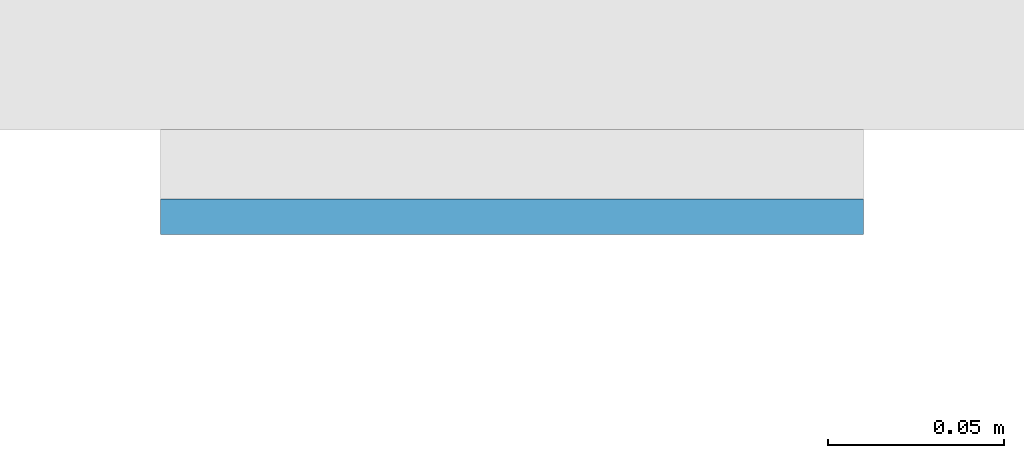
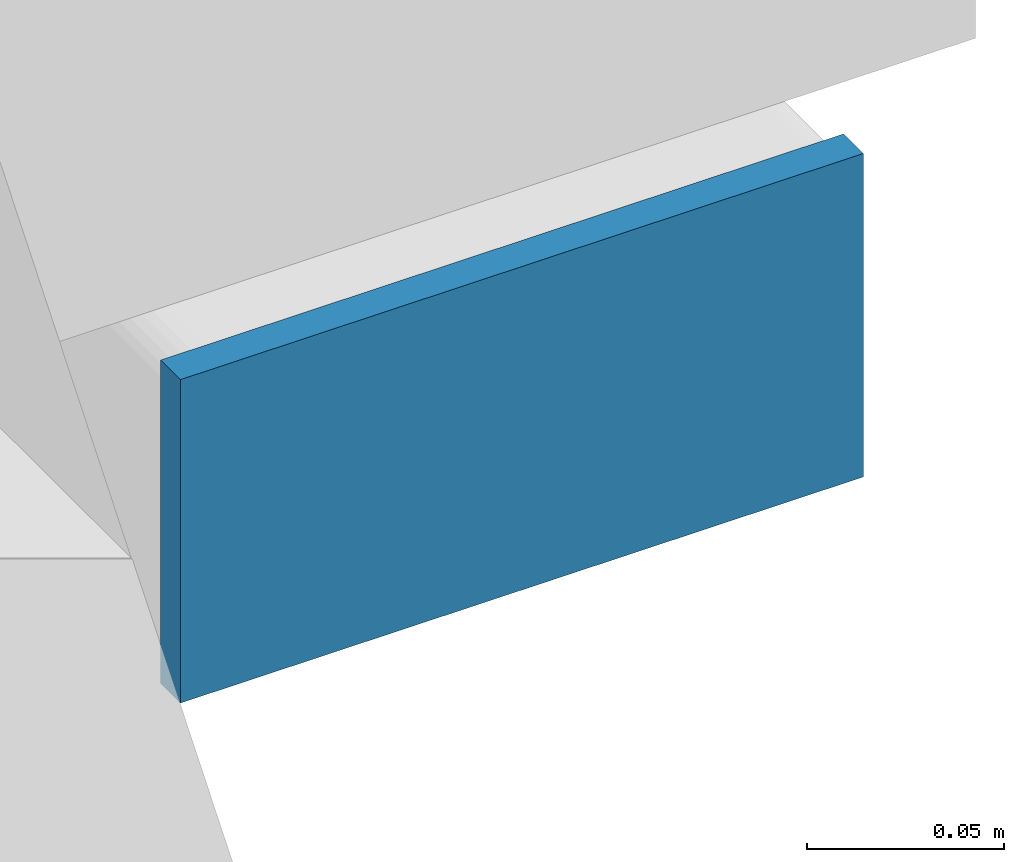
# One storey, part 5 of 12: 1 plate.
"""IFC4 building model written with IfcOpenShell, lengths in metres."""

from ifc_helpers import new_model, si_unit, direction, frame, origin, origin_2d, place, context, subcontext, project, spatial, rectangle, extrude, material, layer, layer_set, type_object, element, save


model = new_model("IFC4")

# Units and contexts
model_context = context("Model", 3, precision=1e-05, world=origin(), true_north=direction((0.0, 1.0)))
body_context = subcontext(model_context, "Body", "Model", "MODEL_VIEW")
ifc_project = project(units=[si_unit("LENGTHUNIT", "METRE"), si_unit("AREAUNIT", "SQUARE_METRE"), si_unit("VOLUMEUNIT", "CUBIC_METRE"), si_unit("PLANEANGLEUNIT", "RADIAN"), si_unit("MASSUNIT", "GRAM", prefix="KILO")], contexts=[model_context])

# Site, building, storey
site_placement = place(None, origin())
site = spatial("IfcSite", under=ifc_project, at=site_placement, CompositionType="ELEMENT")
building_placement = place(site_placement, origin())
building = spatial("IfcBuilding", under=site, at=building_placement, Name="Cleftline Residences", CompositionType="ELEMENT")
storey_placement = place(building_placement, frame((0.0, 0.0, 259.199951171875)))
storey = spatial("IfcBuildingStorey", under=building, at=storey_placement, Name="L68", CompositionType="ELEMENT", Elevation=259.199951171875)

# Plate
ifc_material = material(Name="Steel S355, hot-dip galvanised", Category="steel")
ifc_layer = layer(ifc_material, 0.010009765625)
ifc_layer_set = layer_set([ifc_layer], Name="BAGUETTE CARRIER END PLATE 200X100X10")
plate_type = type_object("IfcPlateType", Name="BAGUETTE CARRIER END PLATE 200X100X10", PredefinedType="USERDEFINED", material=ifc_layer_set)
plate_placement = place(storey_placement, frame((66.85009765625, 3.695068359375, -0.10009765625), z_axis=(0.0, 0.0, 1.0), x_axis=(1.0, 0.0, 0.0)))
element("IfcPlate", 1, at=plate_placement, inside=storey, type_object=plate_type, Name="Baguette carrier end plate", ObjectType="BAGUETTE CARRIER END PLATE", PredefinedType="USERDEFINED", context=body_context, shape_type="SweptSolid", body=[
    extrude(rectangle(XDim=0.199951171875, YDim=0.010009765625, at=origin_2d()), origin(), (0.0, 0.0, 1.0), 0.10009765625),
])

save(model, "model.ifc")
